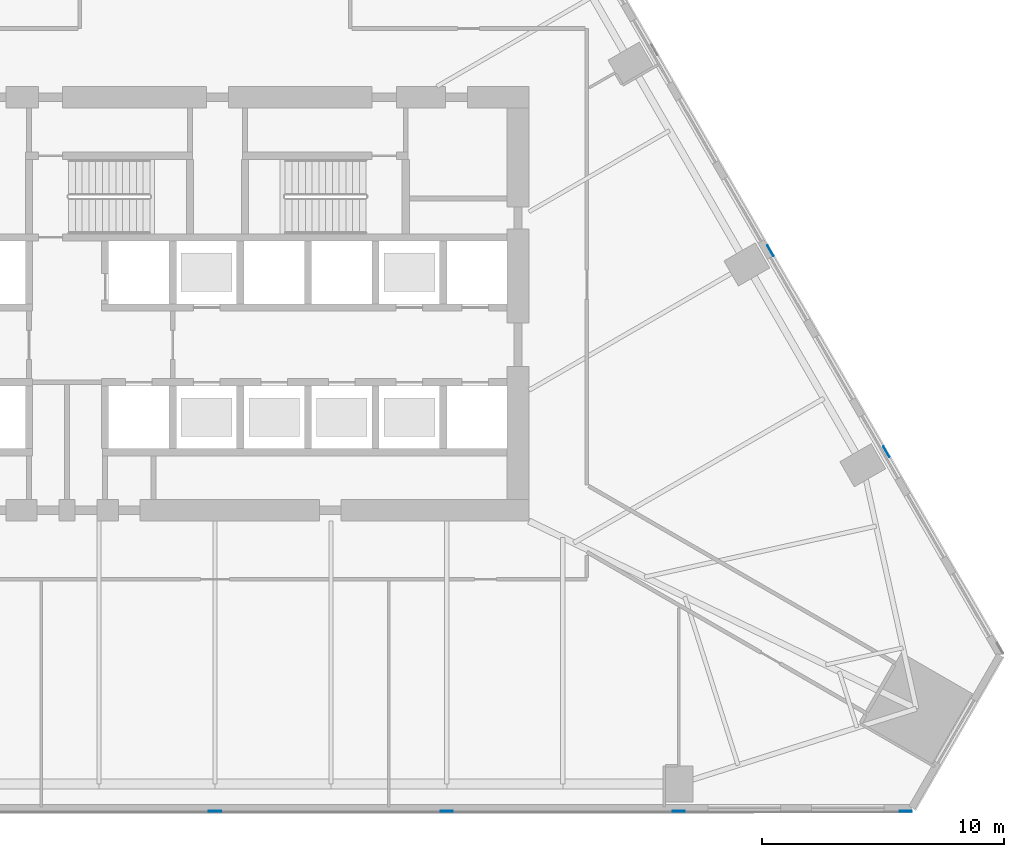
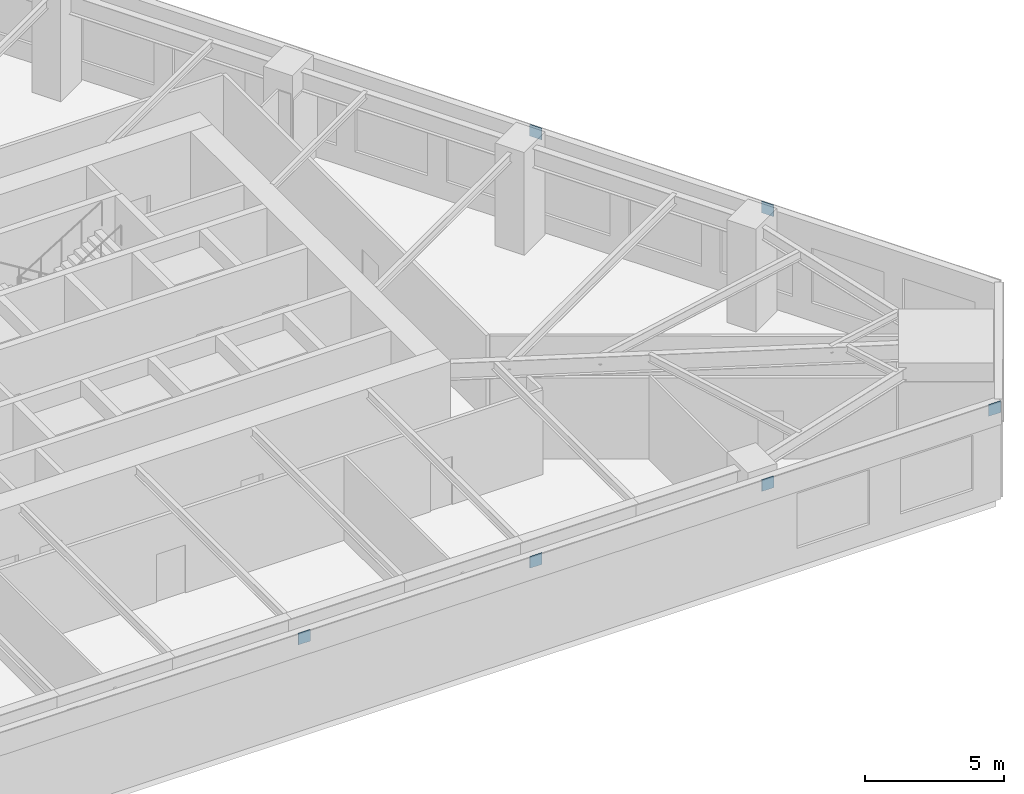
# One storey, part 9 of 14: 6 discrete accessories.
"""IFC4 building model written with IfcOpenShell, lengths in metres."""

from ifc_helpers import new_model, si_unit, direction, frame, origin, origin_2d, place, context, subcontext, project, spatial, rectangle, extrude, material, layer, layer_set, type_object, element, save


model = new_model("IFC4")

# Units and contexts
model_context = context("Model", 3, precision=1e-05, world=origin(), true_north=direction((0.0, 1.0)))
body_context = subcontext(model_context, "Body", "Model", "MODEL_VIEW")
ifc_project = project(units=[si_unit("LENGTHUNIT", "METRE"), si_unit("AREAUNIT", "SQUARE_METRE"), si_unit("VOLUMEUNIT", "CUBIC_METRE"), si_unit("PLANEANGLEUNIT", "RADIAN"), si_unit("MASSUNIT", "GRAM", prefix="KILO")], contexts=[model_context])

# Site, building, storey
site_placement = place(None, origin())
site = spatial("IfcSite", under=ifc_project, at=site_placement, CompositionType="ELEMENT")
building_placement = place(site_placement, origin())
building = spatial("IfcBuilding", under=site, at=building_placement, Name="Firuza Gate Tower and Library", CompositionType="ELEMENT")
storey_placement = place(building_placement, frame((0.0, 0.0, 35.5)))
storey = spatial("IfcBuildingStorey", under=building, at=storey_placement, Name="L07", CompositionType="ELEMENT", Elevation=35.5)

# Discrete accessories
ifc_material = material(Name="Steel S355", Category="steel")
ifc_layer = layer(ifc_material, 0.02490234375)
ifc_layer_set = layer_set([ifc_layer], Name="Cast-in anchor plate 500x500x25 Steel S355")
discrete_accessory_type = type_object("IfcDiscreteAccessoryType", Name="Cast-in anchor plate 500x500x25 Steel S355", PredefinedType="BRACKET", material=ifc_layer_set)
for number, where, z_axis, x_axis, name in (
    (1, (75.0, 53.98779296875, 3.800048828125), (0.0, 0.0, 1.0), (1.0, 0.0, 0.0), "Cast-in anchor plate"),
    (2, (84.60009765625, 53.98779296875, 3.800048828125), (0.0, 0.0, 1.0), (1.0, 0.0, 0.0), "Cast-in anchor plate"),
    (3, (94.199951171875, 53.98779296875, 3.800048828125), (0.0, 0.0, 1.0), (1.0, 0.0, 0.0), "Cast-in anchor plate"),
    (4, (103.60205078125, 53.98779296875, 3.800048828125), (0.0, 0.0, 1.0), (1.0, 0.0, 0.0), "Cast-in anchor plate"),
    (5, (102.797119140625, 68.87841796875, 3.800048828125), (0.0, 0.0, 1.0), (-0.5, 0.866025403784, 0.0), "Cast-in anchor plate"),
    (6, (97.9970703125, 77.192138671875, 3.800048828125), (0.0, 0.0, 1.0), (-0.5, 0.866025403784, 0.0), "Cast-in anchor plate"),
):
    element("IfcDiscreteAccessory", number, at=place(storey_placement, frame(where, z_axis=z_axis, x_axis=x_axis)), inside=storey, type_object=discrete_accessory_type, Name=name, PredefinedType="BRACKET", context=body_context, shape_type="SweptSolid", body=[
        extrude(rectangle(XDim=0.5, YDim=0.02490234375, at=origin_2d()), origin(), (0.0, 0.0, 1.0), 0.5),
    ])

save(model, "model.ifc")
